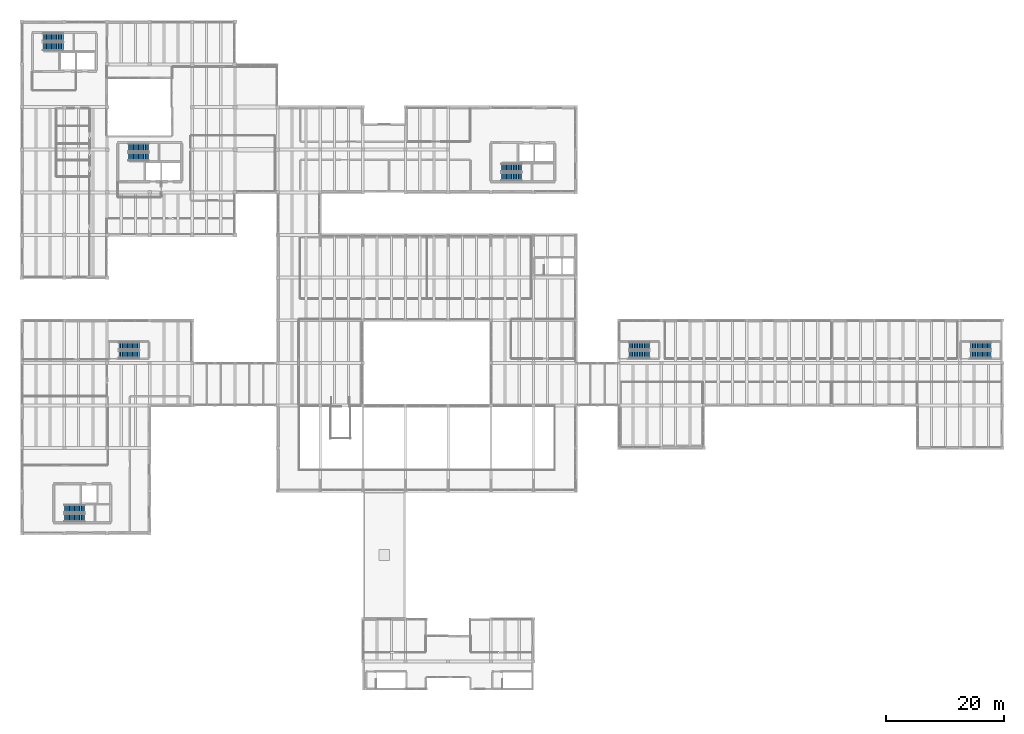
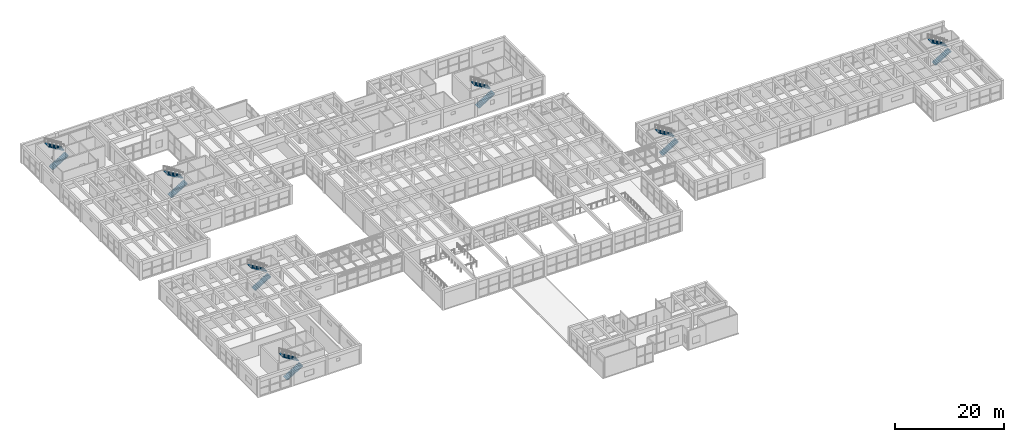
# One storey, part 143 of 153: 14 stair flights, 7 elements without a shape of their own.
"""IFC4 building model written with IfcOpenShell, lengths in metres."""

from ifc_helpers import new_model, si_unit, direction, frame, origin, place, context, subcontext, project, spatial, polyline, outline, extrude, material, type_object, element, aggregate, save


model = new_model("IFC4")

# Units and contexts
model_context = context("Model", 3, precision=1e-05, world=origin(), true_north=direction((0.0, 1.0)))
body_context = subcontext(model_context, "Body", "Model", "MODEL_VIEW")
ifc_project = project(units=[si_unit("LENGTHUNIT", "METRE"), si_unit("AREAUNIT", "SQUARE_METRE"), si_unit("VOLUMEUNIT", "CUBIC_METRE"), si_unit("PLANEANGLEUNIT", "RADIAN"), si_unit("MASSUNIT", "GRAM", prefix="KILO")], contexts=[model_context])

# Site, building, storey
site_placement = place(None, origin())
site = spatial("IfcSite", under=ifc_project, at=site_placement, CompositionType="ELEMENT")
building_placement = place(site_placement, origin())
building = spatial("IfcBuilding", under=site, at=building_placement, Name="Bramvelor Terrace Health Centre", CompositionType="ELEMENT")
storey_placement = place(building_placement, frame((0.0, 0.0, 4.800048828125)))
storey = spatial("IfcBuildingStorey", under=building, at=storey_placement, Name="L02", CompositionType="ELEMENT", Elevation=4.800048828125)

# Stair, stair flights
ifc_material_1 = material(Name="Concrete C40/50", Category="concrete")
stair_type_1 = type_object("IfcStairType", Name="STR-CORE", PredefinedType="HALF_TURN_STAIR", material=ifc_material_1)
stair_1_placement = place(storey_placement, origin())
stair_1 = element("IfcStair", 1, at=stair_1_placement, inside=storey, type_object=stair_type_1, Name="L02 C1 Primary Fire Stair", PredefinedType="HALF_TURN_STAIR")
ifc_material_2 = material(Name="Concrete C40/50", Category="concrete")
stair_flight_type_1 = type_object("IfcStairFlightType", Name="STRF-CORE", PredefinedType="STRAIGHT", material=ifc_material_2)
stair_flight_1_placement = place(storey_placement, frame((3.60009765625, 111.02490234375, 0.0), z_axis=(0.0, 0.0, 1.0), x_axis=(1.0, 0.0, 0.0)))
stair_flight_1 = element("IfcStairFlight", 2, at=stair_flight_1_placement, type_object=stair_flight_type_1, Name="ST-1 flight 1", NumberOfRisers=13, NumberOfTreads=12, PredefinedType="STRAIGHT", RiserHeight=0.173076923, TreadLength=0.285, context=body_context, shape_type="SweptSolid", body=[
    extrude(outline(polyline([(0.0, 0.0), (0.0, 0.173095703125), (0.284912109375, 0.173095703125), (0.284912109375, 0.34619140625), (0.570068359375, 0.34619140625), (0.570068359375, 0.519287109375), (0.85498046875, 0.519287109375), (0.85498046875, 0.6923828125), (1.139892578125, 0.6923828125), (1.139892578125, 0.865478515625), (1.425048828125, 0.865478515625), (1.425048828125, 1.03857421875), (1.7099609375, 1.03857421875), (1.7099609375, 1.21142578125), (1.9951171875, 1.21142578125), (1.9951171875, 1.384521484375), (2.280029296875, 1.384521484375), (2.280029296875, 1.5576171875), (2.56494140625, 1.5576171875), (2.56494140625, 1.730712890625), (2.85009765625, 1.730712890625), (2.85009765625, 1.90380859375), (3.135009765625, 1.90380859375), (3.135009765625, 2.076904296875), (3.419921875, 2.076904296875), (3.419921875, 2.25), (3.419921875, 1.901611328125), (0.288818359375, 0.0), (0.0, 0.0)])), frame((0.0, 0.675048828125, 0.0), z_axis=(0.0, -1.0, 0.0), x_axis=(1.0, 0.0, 0.0)), (0.0, 0.0, 1.0), 1.35009765625),
])
stair_flight_2_placement = place(storey_placement, frame((7.02001953125, 112.574951171875, 2.25), z_axis=(0.0, 0.0, 1.0), x_axis=(-1.0, 0.0, 0.0)))
stair_flight_2 = element("IfcStairFlight", 3, at=stair_flight_2_placement, type_object=stair_flight_type_1, Name="ST-1 flight 2", NumberOfRisers=13, NumberOfTreads=12, PredefinedType="STRAIGHT", RiserHeight=0.173076923, TreadLength=0.285, context=body_context, shape_type="SweptSolid", body=[
    extrude(outline(polyline([(0.0, 0.0), (0.0, 0.173095703125), (0.284912109375, 0.173095703125), (0.284912109375, 0.34619140625), (0.570068359375, 0.34619140625), (0.570068359375, 0.519287109375), (0.85498046875, 0.519287109375), (0.85498046875, 0.6923828125), (1.139892578125, 0.6923828125), (1.139892578125, 0.865478515625), (1.425048828125, 0.865478515625), (1.425048828125, 1.03857421875), (1.7099609375, 1.03857421875), (1.7099609375, 1.21142578125), (1.9951171875, 1.21142578125), (1.9951171875, 1.384521484375), (2.280029296875, 1.384521484375), (2.280029296875, 1.5576171875), (2.56494140625, 1.5576171875), (2.56494140625, 1.730712890625), (2.85009765625, 1.730712890625), (2.85009765625, 1.90380859375), (3.135009765625, 1.90380859375), (3.135009765625, 2.076904296875), (3.419921875, 2.076904296875), (3.419921875, 2.25), (3.419921875, 1.901611328125), (0.288818359375, 0.0), (0.0, 0.0)])), frame((0.0, 0.675048828125, 0.0), z_axis=(0.0, -1.0, 0.0), x_axis=(1.0, 0.0, 0.0)), (0.0, 0.0, 1.0), 1.35009765625),
])
aggregate(stair_1, [stair_flight_1, stair_flight_2])

stair_2_placement = place(storey_placement, origin())
stair_2 = element("IfcStair", 4, at=stair_2_placement, inside=storey, type_object=stair_type_1, Name="L02 C2 Primary Fire Stair", PredefinedType="HALF_TURN_STAIR")
stair_flight_3_placement = place(storey_placement, frame((18.0, 92.425048828125, 0.0), z_axis=(0.0, 0.0, 1.0), x_axis=(1.0, 0.0, 0.0)))
stair_flight_3 = element("IfcStairFlight", 5, at=stair_flight_3_placement, type_object=stair_flight_type_1, Name="ST-2 flight 1", NumberOfRisers=13, NumberOfTreads=12, PredefinedType="STRAIGHT", RiserHeight=0.173076923, TreadLength=0.285, context=body_context, shape_type="SweptSolid", body=[
    extrude(outline(polyline([(0.0, 0.0), (0.0, 0.173095703125), (0.284912109375, 0.173095703125), (0.284912109375, 0.34619140625), (0.570068359375, 0.34619140625), (0.570068359375, 0.519287109375), (0.85498046875, 0.519287109375), (0.85498046875, 0.6923828125), (1.139892578125, 0.6923828125), (1.139892578125, 0.865478515625), (1.425048828125, 0.865478515625), (1.425048828125, 1.03857421875), (1.7099609375, 1.03857421875), (1.7099609375, 1.21142578125), (1.9951171875, 1.21142578125), (1.9951171875, 1.384521484375), (2.280029296875, 1.384521484375), (2.280029296875, 1.5576171875), (2.56494140625, 1.5576171875), (2.56494140625, 1.730712890625), (2.85009765625, 1.730712890625), (2.85009765625, 1.90380859375), (3.135009765625, 1.90380859375), (3.135009765625, 2.076904296875), (3.419921875, 2.076904296875), (3.419921875, 2.25), (3.419921875, 1.901611328125), (0.288818359375, 0.0), (0.0, 0.0)])), frame((0.0, 0.675048828125, 0.0), z_axis=(0.0, -1.0, 0.0), x_axis=(1.0, 0.0, 0.0)), (0.0, 0.0, 1.0), 1.35009765625),
])
stair_flight_4_placement = place(storey_placement, frame((21.419921875, 93.97509765625, 2.25), z_axis=(0.0, 0.0, 1.0), x_axis=(-1.0, 0.0, 0.0)))
stair_flight_4 = element("IfcStairFlight", 6, at=stair_flight_4_placement, type_object=stair_flight_type_1, Name="ST-2 flight 2", NumberOfRisers=13, NumberOfTreads=12, PredefinedType="STRAIGHT", RiserHeight=0.173076923, TreadLength=0.285, context=body_context, shape_type="SweptSolid", body=[
    extrude(outline(polyline([(0.0, 0.0), (0.0, 0.173095703125), (0.284912109375, 0.173095703125), (0.284912109375, 0.34619140625), (0.570068359375, 0.34619140625), (0.570068359375, 0.519287109375), (0.85498046875, 0.519287109375), (0.85498046875, 0.6923828125), (1.139892578125, 0.6923828125), (1.139892578125, 0.865478515625), (1.425048828125, 0.865478515625), (1.425048828125, 1.03857421875), (1.7099609375, 1.03857421875), (1.7099609375, 1.21142578125), (1.9951171875, 1.21142578125), (1.9951171875, 1.384521484375), (2.280029296875, 1.384521484375), (2.280029296875, 1.5576171875), (2.56494140625, 1.5576171875), (2.56494140625, 1.730712890625), (2.85009765625, 1.730712890625), (2.85009765625, 1.90380859375), (3.135009765625, 1.90380859375), (3.135009765625, 2.076904296875), (3.419921875, 2.076904296875), (3.419921875, 2.25), (3.419921875, 1.901611328125), (0.288818359375, 0.0), (0.0, 0.0)])), frame((0.0, 0.675048828125, 0.0), z_axis=(0.0, -1.0, 0.0), x_axis=(1.0, 0.0, 0.0)), (0.0, 0.0, 1.0), 1.35009765625),
])
aggregate(stair_2, [stair_flight_3, stair_flight_4])

stair_3_placement = place(storey_placement, origin())
stair_3 = element("IfcStair", 7, at=stair_3_placement, inside=storey, type_object=stair_type_1, Name="L02 C3 Primary Fire Stair", PredefinedType="HALF_TURN_STAIR")
stair_flight_5_placement = place(storey_placement, frame((7.199951171875, 31.425048828125, 0.0), z_axis=(0.0, 0.0, 1.0), x_axis=(1.0, 0.0, 0.0)))
stair_flight_5 = element("IfcStairFlight", 8, at=stair_flight_5_placement, type_object=stair_flight_type_1, Name="ST-3 flight 1", NumberOfRisers=13, NumberOfTreads=12, PredefinedType="STRAIGHT", RiserHeight=0.173076923, TreadLength=0.285, context=body_context, shape_type="SweptSolid", body=[
    extrude(outline(polyline([(0.0, 0.0), (0.0, 0.173095703125), (0.284912109375, 0.173095703125), (0.284912109375, 0.34619140625), (0.570068359375, 0.34619140625), (0.570068359375, 0.519287109375), (0.85498046875, 0.519287109375), (0.85498046875, 0.6923828125), (1.139892578125, 0.6923828125), (1.139892578125, 0.865478515625), (1.425048828125, 0.865478515625), (1.425048828125, 1.03857421875), (1.7099609375, 1.03857421875), (1.7099609375, 1.21142578125), (1.9951171875, 1.21142578125), (1.9951171875, 1.384521484375), (2.280029296875, 1.384521484375), (2.280029296875, 1.5576171875), (2.56494140625, 1.5576171875), (2.56494140625, 1.730712890625), (2.85009765625, 1.730712890625), (2.85009765625, 1.90380859375), (3.135009765625, 1.90380859375), (3.135009765625, 2.076904296875), (3.419921875, 2.076904296875), (3.419921875, 2.25), (3.419921875, 1.901611328125), (0.288818359375, 0.0), (0.0, 0.0)])), frame((0.0, 0.675048828125, 0.0), z_axis=(0.0, -1.0, 0.0), x_axis=(1.0, 0.0, 0.0)), (0.0, 0.0, 1.0), 1.35009765625),
])
stair_flight_6_placement = place(storey_placement, frame((10.6201171875, 32.97509765625, 2.25), z_axis=(0.0, 0.0, 1.0), x_axis=(-1.0, 0.0, 0.0)))
stair_flight_6 = element("IfcStairFlight", 9, at=stair_flight_6_placement, type_object=stair_flight_type_1, Name="ST-3 flight 2", NumberOfRisers=13, NumberOfTreads=12, PredefinedType="STRAIGHT", RiserHeight=0.173076923, TreadLength=0.285, context=body_context, shape_type="SweptSolid", body=[
    extrude(outline(polyline([(0.0, 0.0), (0.0, 0.173095703125), (0.284912109375, 0.173095703125), (0.284912109375, 0.34619140625), (0.570068359375, 0.34619140625), (0.570068359375, 0.519287109375), (0.85498046875, 0.519287109375), (0.85498046875, 0.6923828125), (1.139892578125, 0.6923828125), (1.139892578125, 0.865478515625), (1.425048828125, 0.865478515625), (1.425048828125, 1.03857421875), (1.7099609375, 1.03857421875), (1.7099609375, 1.21142578125), (1.9951171875, 1.21142578125), (1.9951171875, 1.384521484375), (2.280029296875, 1.384521484375), (2.280029296875, 1.5576171875), (2.56494140625, 1.5576171875), (2.56494140625, 1.730712890625), (2.85009765625, 1.730712890625), (2.85009765625, 1.90380859375), (3.135009765625, 1.90380859375), (3.135009765625, 2.076904296875), (3.419921875, 2.076904296875), (3.419921875, 2.25), (3.419921875, 1.901611328125), (0.288818359375, 0.0), (0.0, 0.0)])), frame((0.0, 0.675048828125, 0.0), z_axis=(0.0, -1.0, 0.0), x_axis=(1.0, 0.0, 0.0)), (0.0, 0.0, 1.0), 1.35009765625),
])
aggregate(stair_3, [stair_flight_5, stair_flight_6])

stair_4_placement = place(storey_placement, origin())
stair_4 = element("IfcStair", 10, at=stair_4_placement, inside=storey, type_object=stair_type_1, Name="L02 C4 Primary Fire Stair", PredefinedType="HALF_TURN_STAIR")
stair_flight_7_placement = place(storey_placement, frame((81.0, 89.02490234375, 0.0), z_axis=(0.0, 0.0, 1.0), x_axis=(1.0, 0.0, 0.0)))
stair_flight_7 = element("IfcStairFlight", 11, at=stair_flight_7_placement, type_object=stair_flight_type_1, Name="ST-4 flight 1", NumberOfRisers=13, NumberOfTreads=12, PredefinedType="STRAIGHT", RiserHeight=0.173076923, TreadLength=0.285, context=body_context, shape_type="SweptSolid", body=[
    extrude(outline(polyline([(0.0, 0.0), (0.0, 0.173095703125), (0.284912109375, 0.173095703125), (0.284912109375, 0.34619140625), (0.570068359375, 0.34619140625), (0.570068359375, 0.519287109375), (0.85498046875, 0.519287109375), (0.85498046875, 0.6923828125), (1.139892578125, 0.6923828125), (1.139892578125, 0.865478515625), (1.425048828125, 0.865478515625), (1.425048828125, 1.03857421875), (1.7099609375, 1.03857421875), (1.7099609375, 1.21142578125), (1.9951171875, 1.21142578125), (1.9951171875, 1.384521484375), (2.280029296875, 1.384521484375), (2.280029296875, 1.5576171875), (2.56494140625, 1.5576171875), (2.56494140625, 1.730712890625), (2.85009765625, 1.730712890625), (2.85009765625, 1.90380859375), (3.135009765625, 1.90380859375), (3.135009765625, 2.076904296875), (3.419921875, 2.076904296875), (3.419921875, 2.25), (3.419921875, 1.901611328125), (0.288818359375, 0.0), (0.0, 0.0)])), frame((0.0, 0.675048828125, 0.0), z_axis=(0.0, -1.0, 0.0), x_axis=(1.0, 0.0, 0.0)), (0.0, 0.0, 1.0), 1.35009765625),
])
stair_flight_8_placement = place(storey_placement, frame((84.419921875, 90.574951171875, 2.25), z_axis=(0.0, 0.0, 1.0), x_axis=(-1.0, 0.0, 0.0)))
stair_flight_8 = element("IfcStairFlight", 12, at=stair_flight_8_placement, type_object=stair_flight_type_1, Name="ST-4 flight 2", NumberOfRisers=13, NumberOfTreads=12, PredefinedType="STRAIGHT", RiserHeight=0.173076923, TreadLength=0.285, context=body_context, shape_type="SweptSolid", body=[
    extrude(outline(polyline([(0.0, 0.0), (0.0, 0.173095703125), (0.284912109375, 0.173095703125), (0.284912109375, 0.34619140625), (0.570068359375, 0.34619140625), (0.570068359375, 0.519287109375), (0.85498046875, 0.519287109375), (0.85498046875, 0.6923828125), (1.139892578125, 0.6923828125), (1.139892578125, 0.865478515625), (1.425048828125, 0.865478515625), (1.425048828125, 1.03857421875), (1.7099609375, 1.03857421875), (1.7099609375, 1.21142578125), (1.9951171875, 1.21142578125), (1.9951171875, 1.384521484375), (2.280029296875, 1.384521484375), (2.280029296875, 1.5576171875), (2.56494140625, 1.5576171875), (2.56494140625, 1.730712890625), (2.85009765625, 1.730712890625), (2.85009765625, 1.90380859375), (3.135009765625, 1.90380859375), (3.135009765625, 2.076904296875), (3.419921875, 2.076904296875), (3.419921875, 2.25), (3.419921875, 1.901611328125), (0.288818359375, 0.0), (0.0, 0.0)])), frame((0.0, 0.675048828125, 0.0), z_axis=(0.0, -1.0, 0.0), x_axis=(1.0, 0.0, 0.0)), (0.0, 0.0, 1.0), 1.35009765625),
])
aggregate(stair_4, [stair_flight_7, stair_flight_8])

ifc_material_3 = material(Name="Concrete C40/50", Category="concrete")
stair_type_2 = type_object("IfcStairType", Name="STR-SEC", PredefinedType="HALF_TURN_STAIR", material=ifc_material_3)
stair_5_placement = place(storey_placement, origin())
stair_5 = element("IfcStair", 13, at=stair_5_placement, inside=storey, type_object=stair_type_2, Name="L02 West Day Surgery Exit Stair", PredefinedType="HALF_TURN_STAIR")
ifc_material_4 = material(Name="Concrete C40/50", Category="concrete")
stair_flight_type_2 = type_object("IfcStairFlightType", Name="STRF-SEC", PredefinedType="STRAIGHT", material=ifc_material_4)
stair_flight_9_placement = place(storey_placement, frame((102.570068359375, 59.02490234375, 0.0), z_axis=(0.0, 0.0, 1.0), x_axis=(1.0, 0.0, 0.0)))
stair_flight_9 = element("IfcStairFlight", 14, at=stair_flight_9_placement, type_object=stair_flight_type_2, Name="ST-5 flight 1", NumberOfRisers=13, NumberOfTreads=12, PredefinedType="STRAIGHT", RiserHeight=0.173076923, TreadLength=0.285, context=body_context, shape_type="SweptSolid", body=[
    extrude(outline(polyline([(0.0, 0.0), (0.0, 0.173095703125), (0.284912109375, 0.173095703125), (0.284912109375, 0.34619140625), (0.570068359375, 0.34619140625), (0.570068359375, 0.519287109375), (0.85498046875, 0.519287109375), (0.85498046875, 0.6923828125), (1.139892578125, 0.6923828125), (1.139892578125, 0.865478515625), (1.425048828125, 0.865478515625), (1.425048828125, 1.03857421875), (1.7099609375, 1.03857421875), (1.7099609375, 1.21142578125), (1.9951171875, 1.21142578125), (1.9951171875, 1.384521484375), (2.280029296875, 1.384521484375), (2.280029296875, 1.5576171875), (2.56494140625, 1.5576171875), (2.56494140625, 1.730712890625), (2.85009765625, 1.730712890625), (2.85009765625, 1.90380859375), (3.135009765625, 1.90380859375), (3.135009765625, 2.076904296875), (3.419921875, 2.076904296875), (3.419921875, 2.25), (3.419921875, 1.901611328125), (0.288818359375, 0.0), (0.0, 0.0)])), frame((0.0, 0.625, 0.0), z_axis=(0.0, -1.0, 0.0), x_axis=(1.0, 0.0, 0.0)), (0.0, 0.0, 1.0), 1.25),
])
stair_flight_10_placement = place(storey_placement, frame((105.989990234375, 60.47509765625, 2.25), z_axis=(0.0, 0.0, 1.0), x_axis=(-1.0, 0.0, 0.0)))
stair_flight_10 = element("IfcStairFlight", 15, at=stair_flight_10_placement, type_object=stair_flight_type_2, Name="ST-5 flight 2", NumberOfRisers=13, NumberOfTreads=12, PredefinedType="STRAIGHT", RiserHeight=0.173076923, TreadLength=0.285, context=body_context, shape_type="SweptSolid", body=[
    extrude(outline(polyline([(0.0, 0.0), (0.0, 0.173095703125), (0.284912109375, 0.173095703125), (0.284912109375, 0.34619140625), (0.570068359375, 0.34619140625), (0.570068359375, 0.519287109375), (0.85498046875, 0.519287109375), (0.85498046875, 0.6923828125), (1.139892578125, 0.6923828125), (1.139892578125, 0.865478515625), (1.425048828125, 0.865478515625), (1.425048828125, 1.03857421875), (1.7099609375, 1.03857421875), (1.7099609375, 1.21142578125), (1.9951171875, 1.21142578125), (1.9951171875, 1.384521484375), (2.280029296875, 1.384521484375), (2.280029296875, 1.5576171875), (2.56494140625, 1.5576171875), (2.56494140625, 1.730712890625), (2.85009765625, 1.730712890625), (2.85009765625, 1.90380859375), (3.135009765625, 1.90380859375), (3.135009765625, 2.076904296875), (3.419921875, 2.076904296875), (3.419921875, 2.25), (3.419921875, 1.901611328125), (0.288818359375, 0.0), (0.0, 0.0)])), frame((0.0, 0.625, 0.0), z_axis=(0.0, -1.0, 0.0), x_axis=(1.0, 0.0, 0.0)), (0.0, 0.0, 1.0), 1.25),
])
aggregate(stair_5, [stair_flight_9, stair_flight_10])

stair_6_placement = place(storey_placement, origin())
stair_6 = element("IfcStair", 16, at=stair_6_placement, inside=storey, type_object=stair_type_2, Name="L02 North Pharmacy & Mental Health Exit Stair", PredefinedType="HALF_TURN_STAIR")
stair_flight_11_placement = place(storey_placement, frame((16.419921875, 59.02490234375, 0.0), z_axis=(0.0, 0.0, 1.0), x_axis=(1.0, 0.0, 0.0)))
stair_flight_11 = element("IfcStairFlight", 17, at=stair_flight_11_placement, type_object=stair_flight_type_2, Name="ST-6 flight 1", NumberOfRisers=13, NumberOfTreads=12, PredefinedType="STRAIGHT", RiserHeight=0.173076923, TreadLength=0.285, context=body_context, shape_type="SweptSolid", body=[
    extrude(outline(polyline([(0.0, 0.0), (0.0, 0.173095703125), (0.284912109375, 0.173095703125), (0.284912109375, 0.34619140625), (0.570068359375, 0.34619140625), (0.570068359375, 0.519287109375), (0.85498046875, 0.519287109375), (0.85498046875, 0.6923828125), (1.139892578125, 0.6923828125), (1.139892578125, 0.865478515625), (1.425048828125, 0.865478515625), (1.425048828125, 1.03857421875), (1.7099609375, 1.03857421875), (1.7099609375, 1.21142578125), (1.9951171875, 1.21142578125), (1.9951171875, 1.384521484375), (2.280029296875, 1.384521484375), (2.280029296875, 1.5576171875), (2.56494140625, 1.5576171875), (2.56494140625, 1.730712890625), (2.85009765625, 1.730712890625), (2.85009765625, 1.90380859375), (3.135009765625, 1.90380859375), (3.135009765625, 2.076904296875), (3.419921875, 2.076904296875), (3.419921875, 2.25), (3.419921875, 1.901611328125), (0.288818359375, 0.0), (0.0, 0.0)])), frame((0.0, 0.625, 0.0), z_axis=(0.0, -1.0, 0.0), x_axis=(1.0, 0.0, 0.0)), (0.0, 0.0, 1.0), 1.25),
])
stair_flight_12_placement = place(storey_placement, frame((19.840087890625, 60.47509765625, 2.25), z_axis=(0.0, 0.0, 1.0), x_axis=(-1.0, 0.0, 0.0)))
stair_flight_12 = element("IfcStairFlight", 18, at=stair_flight_12_placement, type_object=stair_flight_type_2, Name="ST-6 flight 2", NumberOfRisers=13, NumberOfTreads=12, PredefinedType="STRAIGHT", RiserHeight=0.173076923, TreadLength=0.285, context=body_context, shape_type="SweptSolid", body=[
    extrude(outline(polyline([(0.0, 0.0), (0.0, 0.173095703125), (0.284912109375, 0.173095703125), (0.284912109375, 0.34619140625), (0.570068359375, 0.34619140625), (0.570068359375, 0.519287109375), (0.85498046875, 0.519287109375), (0.85498046875, 0.6923828125), (1.139892578125, 0.6923828125), (1.139892578125, 0.865478515625), (1.425048828125, 0.865478515625), (1.425048828125, 1.03857421875), (1.7099609375, 1.03857421875), (1.7099609375, 1.21142578125), (1.9951171875, 1.21142578125), (1.9951171875, 1.384521484375), (2.280029296875, 1.384521484375), (2.280029296875, 1.5576171875), (2.56494140625, 1.5576171875), (2.56494140625, 1.730712890625), (2.85009765625, 1.730712890625), (2.85009765625, 1.90380859375), (3.135009765625, 1.90380859375), (3.135009765625, 2.076904296875), (3.419921875, 2.076904296875), (3.419921875, 2.25), (3.419921875, 1.901611328125), (0.288818359375, 0.0), (0.0, 0.0)])), frame((0.0, 0.625, 0.0), z_axis=(0.0, -1.0, 0.0), x_axis=(1.0, 0.0, 0.0)), (0.0, 0.0, 1.0), 1.25),
])
aggregate(stair_6, [stair_flight_11, stair_flight_12])

stair_7_placement = place(storey_placement, origin())
stair_7 = element("IfcStair", 19, at=stair_7_placement, inside=storey, type_object=stair_type_2, Name="L02 East Day Surgery Exit Stair", PredefinedType="HALF_TURN_STAIR")
stair_flight_13_placement = place(storey_placement, frame((160.219970703125, 59.02490234375, 0.0), z_axis=(0.0, 0.0, 1.0), x_axis=(1.0, 0.0, 0.0)))
stair_flight_13 = element("IfcStairFlight", 20, at=stair_flight_13_placement, type_object=stair_flight_type_2, Name="ST-7 flight 1", NumberOfRisers=13, NumberOfTreads=12, PredefinedType="STRAIGHT", RiserHeight=0.173076923, TreadLength=0.285, context=body_context, shape_type="SweptSolid", body=[
    extrude(outline(polyline([(0.0, 0.0), (0.0, 0.173095703125), (0.284912109375, 0.173095703125), (0.284912109375, 0.34619140625), (0.570068359375, 0.34619140625), (0.570068359375, 0.519287109375), (0.85498046875, 0.519287109375), (0.85498046875, 0.6923828125), (1.139892578125, 0.6923828125), (1.139892578125, 0.865478515625), (1.425048828125, 0.865478515625), (1.425048828125, 1.03857421875), (1.7099609375, 1.03857421875), (1.7099609375, 1.21142578125), (1.9951171875, 1.21142578125), (1.9951171875, 1.384521484375), (2.280029296875, 1.384521484375), (2.280029296875, 1.5576171875), (2.56494140625, 1.5576171875), (2.56494140625, 1.730712890625), (2.85009765625, 1.730712890625), (2.85009765625, 1.90380859375), (3.135009765625, 1.90380859375), (3.135009765625, 2.076904296875), (3.419921875, 2.076904296875), (3.419921875, 2.25), (3.419921875, 1.901611328125), (0.288818359375, 0.0), (0.0, 0.0)])), frame((0.0, 0.625, 0.0), z_axis=(0.0, -1.0, 0.0), x_axis=(1.0, 0.0, 0.0)), (0.0, 0.0, 1.0), 1.25),
])
stair_flight_14_placement = place(storey_placement, frame((163.639892578125, 60.47509765625, 2.25), z_axis=(0.0, 0.0, 1.0), x_axis=(-1.0, 0.0, 0.0)))
stair_flight_14 = element("IfcStairFlight", 21, at=stair_flight_14_placement, type_object=stair_flight_type_2, Name="ST-7 flight 2", NumberOfRisers=13, NumberOfTreads=12, PredefinedType="STRAIGHT", RiserHeight=0.173076923, TreadLength=0.285, context=body_context, shape_type="SweptSolid", body=[
    extrude(outline(polyline([(0.0, 0.0), (0.0, 0.173095703125), (0.284912109375, 0.173095703125), (0.284912109375, 0.34619140625), (0.570068359375, 0.34619140625), (0.570068359375, 0.519287109375), (0.85498046875, 0.519287109375), (0.85498046875, 0.6923828125), (1.139892578125, 0.6923828125), (1.139892578125, 0.865478515625), (1.425048828125, 0.865478515625), (1.425048828125, 1.03857421875), (1.7099609375, 1.03857421875), (1.7099609375, 1.21142578125), (1.9951171875, 1.21142578125), (1.9951171875, 1.384521484375), (2.280029296875, 1.384521484375), (2.280029296875, 1.5576171875), (2.56494140625, 1.5576171875), (2.56494140625, 1.730712890625), (2.85009765625, 1.730712890625), (2.85009765625, 1.90380859375), (3.135009765625, 1.90380859375), (3.135009765625, 2.076904296875), (3.419921875, 2.076904296875), (3.419921875, 2.25), (3.419921875, 1.901611328125), (0.288818359375, 0.0), (0.0, 0.0)])), frame((0.0, 0.625, 0.0), z_axis=(0.0, -1.0, 0.0), x_axis=(1.0, 0.0, 0.0)), (0.0, 0.0, 1.0), 1.25),
])
aggregate(stair_7, [stair_flight_13, stair_flight_14])

save(model, "model.ifc")
